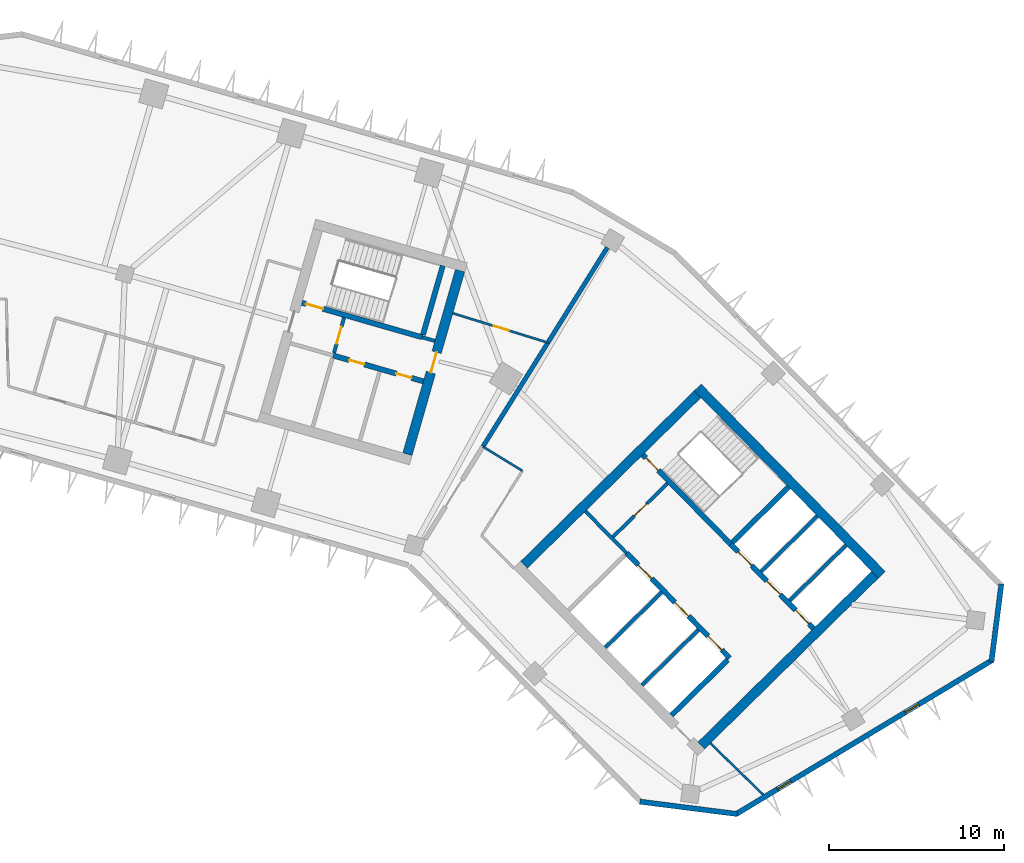
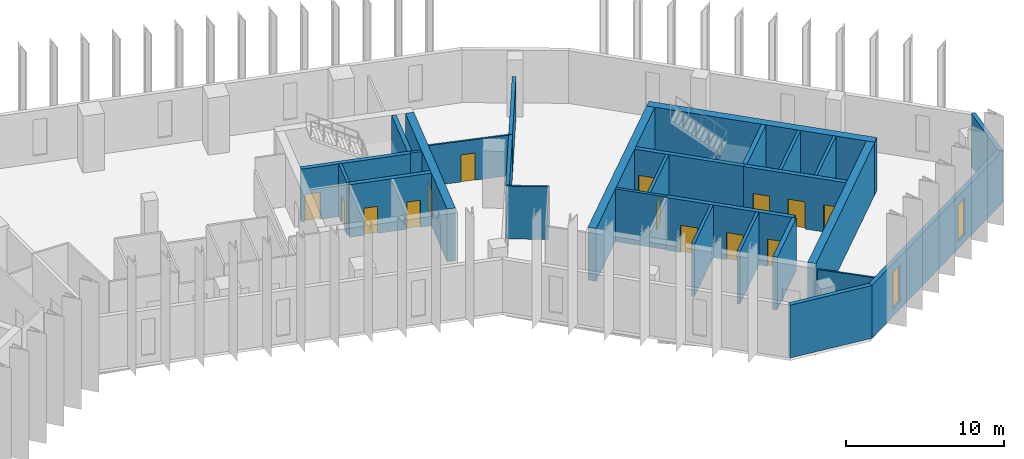
# One storey, part 6 of 11: 28 walls, 14 doors, 2 windows, 16 openings.
"""IFC4 building model written with IfcOpenShell, lengths in metres."""

import ifcopenshell
import ifcopenshell.guid

model = None  # the IFC model being written
_history = None  # IfcOwnerHistory: only IFC2X3 demands one
_inside = {}  # id of a spatial element -> (the spatial element, [elements in it])
_under = {}  # id of a project, library or spatial element -> (it, [spatial elements below it])
_declared = {}  # id of a project -> (the project, [libraries it declares])
_typed = {}  # id of a type object -> (the type object, [elements of that type])
_made_of = {}  # id of a material, layer set ... -> (it, [elements and type objects made of it])


def new_model(schema):
    """Start an empty IFC model of exactly this schema.

    Asked for "IFC4X3", IfcOpenShell would pick the latest addendum, in which some entities
    have other attributes; the version numbers below select the first issue.
    IFC2X3 requires an IfcOwnerHistory on every rooted entity: one is made here for all.
    """
    global model, _history
    if schema == "IFC4X3":
        model = ifcopenshell.file(schema_version=(4, 3, 0, 0))
    else:
        model = ifcopenshell.file(schema=schema)
    _inside.clear()
    _under.clear()
    _declared.clear()
    _typed.clear()
    _made_of.clear()
    _history = None
    if model.schema == "IFC2X3":
        org = make("IfcOrganization", Name="unknown")
        user = make(
            "IfcPersonAndOrganization",
            ThePerson=make("IfcPerson", FamilyName="unknown"),
            TheOrganization=org,
        )
        app = make(
            "IfcApplication",
            ApplicationDeveloper=org,
            Version="unknown",
            ApplicationFullName="unknown",
            ApplicationIdentifier="unknown",
        )
        _history = make(
            "IfcOwnerHistory",
            OwningUser=user,
            OwningApplication=app,
            ChangeAction="ADDED",
            CreationDate=0,
        )
    return model


def make(cls, **values):
    """One entity of the class cls with the attributes given. An attribute that is None is left unset."""
    return model.create_entity(
        cls, **{name: value for name, value in values.items() if value is not None}
    )


def rooted(cls, **values):
    """An entity with a GlobalId (a new one), such as an element, a storey or a relation."""
    return make(cls, GlobalId=ifcopenshell.guid.new(), OwnerHistory=_history, **values)


def si_unit(unit_type, name, prefix=None):
    """IfcSIUnit, for example si_unit("LENGTHUNIT", "METRE", prefix="MILLI")."""
    return make("IfcSIUnit", UnitType=unit_type, Prefix=prefix, Name=name)


def assignment(units):
    """IfcUnitAssignment: the units of a project."""
    return None if units is None else make("IfcUnitAssignment", Units=units)


def point(xyz):
    """IfcCartesianPoint."""
    return None if xyz is None else make("IfcCartesianPoint", Coordinates=xyz)


def direction(xyz):
    """IfcDirection."""
    return None if xyz is None else make("IfcDirection", DirectionRatios=xyz)


def frame(location, z_axis=None, x_axis=None):
    """IfcAxis2Placement3D, a coordinate frame: its origin and axes. An axis left out is left unset."""
    return make(
        "IfcAxis2Placement3D",
        Location=point(location),
        Axis=direction(z_axis),
        RefDirection=direction(x_axis),
    )


def frame_2d(location, x_axis=None):
    """IfcAxis2Placement2D, a coordinate frame in the plane: its origin and x axis."""
    return make(
        "IfcAxis2Placement2D", Location=point(location), RefDirection=direction(x_axis)
    )


def origin():
    """The frame at (0, 0, 0) with its axes left unset."""
    return frame((0.0, 0.0, 0.0))


def place(relative_to, where):
    """IfcLocalPlacement: puts the frame where relative to a parent placement (None: the world)."""
    return make(
        "IfcLocalPlacement", PlacementRelTo=relative_to, RelativePlacement=where
    )


def context(
    kind, dimensions, precision=None, world=None, true_north=None, identifier=None
):
    """IfcGeometricRepresentationContext, for example the 3D "Model" context."""
    return make(
        "IfcGeometricRepresentationContext",
        ContextIdentifier=identifier,
        ContextType=kind,
        CoordinateSpaceDimension=dimensions,
        Precision=precision,
        WorldCoordinateSystem=world,
        TrueNorth=true_north,
    )


def subcontext(parent, identifier, kind, view, scale=None):
    """IfcGeometricRepresentationSubContext, for example "Body" below "Model"."""
    return make(
        "IfcGeometricRepresentationSubContext",
        ContextIdentifier=identifier,
        ContextType=kind,
        ParentContext=parent,
        TargetScale=scale,
        TargetView=view,
    )


def project(units=None, contexts=None):
    """IfcProject with its units and contexts."""
    return rooted(
        "IfcProject",
        Name="project",
        RepresentationContexts=contexts,
        UnitsInContext=assignment(units),
    )


def spatial(cls, under=None, at=None, **own):
    """A site, building, storey or space (cls), placed at a placement, below another one or the project."""
    s = rooted(cls, ObjectPlacement=at, **own)
    if under is not None:
        _under.setdefault(under.id(), (under, []))[1].append(s)
    return s


def profile(cls, at=None, kind="AREA", **sizes):
    """A parametric profile (cls). Its sizes go by their IFC names, for example OverallWidth=200.0."""
    return make(cls, ProfileType=kind, Position=at, **sizes)


def rectangle(**sizes):
    """IfcRectangleProfileDef."""
    return profile("IfcRectangleProfileDef", **sizes)


def extrude(swept, where, along, depth):
    """IfcExtrudedAreaSolid: the profile swept, set in the frame where, extruded along a direction by depth."""
    return make(
        "IfcExtrudedAreaSolid",
        SweptArea=swept,
        Position=where,
        ExtrudedDirection=direction(along),
        Depth=depth,
    )


def shape(context_of_items, identifier, shape_type, items):
    """IfcShapeRepresentation: the items that make up one representation, for example the "Body"."""
    return make(
        "IfcShapeRepresentation",
        ContextOfItems=context_of_items,
        RepresentationIdentifier=identifier,
        RepresentationType=shape_type,
        Items=items,
    )


def material(Name=None, Category=None):
    """IfcMaterial."""
    return make("IfcMaterial", Name=Name, Category=Category)


def layer(
    of_material, thickness, ventilated=None, Name=None, Category=None, Priority=None
):
    """IfcMaterialLayer: one layer of a wall or slab, of a material (None: an air gap)."""
    return make(
        "IfcMaterialLayer",
        Material=of_material,
        LayerThickness=thickness,
        IsVentilated=ventilated,
        Name=Name,
        Category=Category,
        Priority=Priority,
    )


def layer_set(layers, Name=None):
    """IfcMaterialLayerSet."""
    return make("IfcMaterialLayerSet", MaterialLayers=layers, LayerSetName=Name)


def made_of(thing, what):
    """Note that an element or type object is made of a material, layer set ...; save() writes the relation."""
    if what is not None:
        _made_of.setdefault(what.id(), (what, []))[1].append(thing)
    return thing


def type_object(cls, material=None, **own):
    """A type object (cls), such as IfcWallType, which elements share."""
    return made_of(rooted(cls, **own), material)


def element(
    cls,
    number,
    at=None,
    inside=None,
    cuts=None,
    type_object=None,
    material=None,
    context=None,
    identifier="Body",
    shape_type=None,
    held_by="IfcProductDefinitionShape",
    body=None,
    shapes=None,
    **own,
):
    """One element of the class cls, such as IfcWall. Its Tag is "e" and its number.

    at: its placement. inside: the storey or other place that contains it. cuts: it is an
    opening in that element (IfcRelVoidsElement). A single representation is given by context,
    identifier, shape_type and body (its items); several are given by shapes. held_by: the class
    of the entity that holds the representations. save() writes the other relations.
    """
    e = rooted(cls, Tag="e%d" % number, ObjectPlacement=at, **own)
    if body is not None:
        shapes = [shape(context, identifier, shape_type, body)]
    if shapes is not None:
        e.Representation = make(held_by, Representations=shapes)
    if inside is not None:
        _inside.setdefault(inside.id(), (inside, []))[1].append(e)
    if cuts is not None:
        rooted(
            "IfcRelVoidsElement", RelatingBuildingElement=cuts, RelatedOpeningElement=e
        )
    if type_object is not None:
        _typed.setdefault(type_object.id(), (type_object, []))[1].append(e)
    return made_of(e, material)


def fill(opening, filler):
    """IfcRelFillsElement: the door or window that sits in an opening."""
    return rooted(
        "IfcRelFillsElement",
        RelatingOpeningElement=opening,
        RelatedBuildingElement=filler,
    )


def aggregate(whole, parts):
    """IfcRelAggregates: a whole, such as a stair, and the parts it consists of."""
    return rooted("IfcRelAggregates", RelatingObject=whole, RelatedObjects=parts)


def save(model, path):
    """Write the relations noted so far, then the file.

    IfcRelAggregates (storeys below a building ...), IfcRelContainedInSpatialStructure (elements
    in a storey), IfcRelDefinesByType, IfcRelAssociatesMaterial and IfcRelDeclares: one each for
    every whole, place, type object, material and project.
    """
    for whole, parts in _under.values():
        aggregate(whole, parts)
    for where, things in _inside.values():
        rooted(
            "IfcRelContainedInSpatialStructure",
            RelatedElements=things,
            RelatingStructure=where,
        )
    for kind, things in _typed.values():
        rooted("IfcRelDefinesByType", RelatedObjects=things, RelatingType=kind)
    for what, things in _made_of.values():
        rooted("IfcRelAssociatesMaterial", RelatedObjects=things, RelatingMaterial=what)
    for by, libraries in _declared.values():
        rooted("IfcRelDeclares", RelatingContext=by, RelatedDefinitions=libraries)
    model.write(path)


model = new_model("IFC4")

# Units and contexts
model_context = context("Model", 3, precision=1e-05, world=origin(), true_north=direction((0.0, 1.0)))
body_context = subcontext(model_context, "Body", "Model", "MODEL_VIEW")
ifc_project = project(units=[si_unit("LENGTHUNIT", "METRE"), si_unit("AREAUNIT", "SQUARE_METRE"), si_unit("VOLUMEUNIT", "CUBIC_METRE"), si_unit("PLANEANGLEUNIT", "RADIAN"), si_unit("MASSUNIT", "GRAM", prefix="KILO")], contexts=[model_context])

# Site, building, storey
site_placement = place(None, origin())
site = spatial("IfcSite", under=ifc_project, at=site_placement, CompositionType="ELEMENT")
building_placement = place(site_placement, origin())
building = spatial("IfcBuilding", under=site, at=building_placement, Name="Binnacle Exchange Tower", CompositionType="ELEMENT")
storey_placement = place(building_placement, frame((0.0, 0.0, 132.300048828125)))
storey = spatial("IfcBuildingStorey", under=building, at=storey_placement, Name="L27", CompositionType="ELEMENT", Elevation=132.300048828125)

# Wall, openings, doors
ifc_material_1 = material(Name="Concrete C70/85", Category="concrete")
ifc_layer_1 = layer(ifc_material_1, 0.300048828125)
ifc_layer_set_1 = layer_set([ifc_layer_1], Name="Core wall - front 300")
wall_type_1 = type_object("IfcWallType", Name="Core wall - front 300", PredefinedType="SOLIDWALL", material=ifc_layer_set_1)
wall_1_placement = place(storey_placement, frame((37.8740234375, 41.41552734375, 0.0), z_axis=(0.0, 0.0, 1.0), x_axis=(0.700918271237, -0.71324159795, 0.0)))
wall_1 = element("IfcWall", 1, at=wall_1_placement, inside=storey, type_object=wall_type_1, Name="Core wall CRWB3", PredefinedType="SOLIDWALL", context=body_context, shape_type="SweptSolid", body=[
    extrude(rectangle(XDim=8.39990234375, YDim=0.300048828125, at=frame_2d((4.199951171875, 0.0))), origin(), (0.0, 0.0, 1.0), 4.079833984375),
])
opening_1_placement = place(wall_1_placement, frame((0.949951171875, 0.0, 0.0)))
opening_1 = element("IfcOpeningElement", 2, at=opening_1_placement, cuts=wall_1, Name="Opening LD15", PredefinedType="OPENING", context=body_context, shape_type="SweptSolid", body=[
    extrude(rectangle(XDim=1.10009765625, YDim=2.10009765625, at=frame_2d((0.550048828125, 1.050048828125))), frame((0.0, 0.159912109375, 0.0), z_axis=(0.0, -1.0, 0.0), x_axis=(1.0, 0.0, 0.0)), (0.0, 0.0, 1.0), 0.320068359375),
])
opening_2_placement = place(wall_1_placement, frame((3.949951171875, 0.0, 0.0)))
opening_2 = element("IfcOpeningElement", 3, at=opening_2_placement, cuts=wall_1, Name="Opening LD16", PredefinedType="OPENING", context=body_context, shape_type="SweptSolid", body=[
    extrude(rectangle(XDim=1.10009765625, YDim=2.10009765625, at=frame_2d((0.550048828125, 1.050048828125))), frame((0.0, 0.159912109375, 0.0), z_axis=(0.0, -1.0, 0.0), x_axis=(1.0, 0.0, 0.0)), (0.0, 0.0, 1.0), 0.320068359375),
])
opening_3_placement = place(wall_1_placement, frame((6.64990234375, 0.0, 0.0)))
opening_3 = element("IfcOpeningElement", 4, at=opening_3_placement, cuts=wall_1, Name="Opening LD4", PredefinedType="OPENING", context=body_context, shape_type="SweptSolid", body=[
    extrude(rectangle(XDim=1.10009765625, YDim=2.10009765625, at=frame_2d((0.550048828125, 1.050048828125))), frame((0.0, 0.159912109375, 0.0), z_axis=(0.0, -1.0, 0.0), x_axis=(1.0, 0.0, 0.0)), (0.0, 0.0, 1.0), 0.320068359375),
])
ifc_material_2 = material(Name="Steel door leaf", Category="steel")
door_type_1 = type_object("IfcDoorType", Name="Fire door - lift landing 1100", OperationType="NOTDEFINED", PredefinedType="DOOR", material=ifc_material_2)
door_1_placement = place(opening_1_placement, origin())
door_1 = element("IfcDoor", 5, at=door_1_placement, inside=storey, type_object=door_type_1, Name="Landing door LD15 L27", OperationType="DOUBLE_DOOR_SLIDING", OverallHeight=2.10009765625, OverallWidth=1.10009765625, PredefinedType="DOOR", context=body_context, shape_type="SweptSolid", body=[
    extrude(rectangle(XDim=1.10009765625, YDim=2.10009765625, at=frame_2d((0.550048828125, 1.050048828125))), frame((0.0, 0.02490234375, 0.0), z_axis=(0.0, -1.0, 0.0), x_axis=(1.0, 0.0, 0.0)), (0.0, 0.0, 1.0), 0.050048828125),
])
fill(opening_1, door_1)
door_2_placement = place(opening_2_placement, origin())
door_2 = element("IfcDoor", 6, at=door_2_placement, inside=storey, type_object=door_type_1, Name="Landing door LD16 L27", OperationType="DOUBLE_DOOR_SLIDING", OverallHeight=2.10009765625, OverallWidth=1.10009765625, PredefinedType="DOOR", context=body_context, shape_type="SweptSolid", body=[
    extrude(rectangle(XDim=1.10009765625, YDim=2.10009765625, at=frame_2d((0.550048828125, 1.050048828125))), frame((0.0, 0.02490234375, 0.0), z_axis=(0.0, -1.0, 0.0), x_axis=(1.0, 0.0, 0.0)), (0.0, 0.0, 1.0), 0.050048828125),
])
fill(opening_2, door_2)
door_3_placement = place(opening_3_placement, origin())
door_3 = element("IfcDoor", 7, at=door_3_placement, inside=storey, type_object=door_type_1, Name="Landing door LD4 L27", OperationType="DOUBLE_DOOR_SLIDING", OverallHeight=2.10009765625, OverallWidth=1.10009765625, PredefinedType="DOOR", context=body_context, shape_type="SweptSolid", body=[
    extrude(rectangle(XDim=1.10009765625, YDim=2.10009765625, at=frame_2d((0.550048828125, 1.050048828125))), frame((0.0, 0.02490234375, 0.0), z_axis=(0.0, -1.0, 0.0), x_axis=(1.0, 0.0, 0.0)), (0.0, 0.0, 1.0), 0.050048828125),
])
fill(opening_3, door_3)

wall_2_placement = place(storey_placement, frame((43.818603515625, 41.92919921875, 0.0), z_axis=(0.0, 0.0, 1.0), x_axis=(0.700931209592, -0.713228882912, 0.0)))
wall_2 = element("IfcWall", 8, at=wall_2_placement, inside=storey, type_object=wall_type_1, Name="Core wall CRWB5", PredefinedType="SOLIDWALL", context=body_context, shape_type="SweptSolid", body=[
    extrude(rectangle(XDim=6.75, YDim=0.300048828125, at=frame_2d((3.375, 0.0))), origin(), (0.0, 0.0, 1.0), 4.079833984375),
])
opening_4_placement = place(wall_2_placement, frame((0.614990234375, 0.0, 0.0)))
opening_4 = element("IfcOpeningElement", 9, at=opening_4_placement, cuts=wall_2, Name="Opening LD1", PredefinedType="OPENING", context=body_context, shape_type="SweptSolid", body=[
    extrude(rectangle(XDim=1.10009765625, YDim=2.10009765625, at=frame_2d((0.550048828125, 1.050048828125))), frame((0.0, 0.159912109375, 0.0), z_axis=(0.0, -1.0, 0.0), x_axis=(1.0, 0.0, 0.0)), (0.0, 0.0, 1.0), 0.320068359375),
])
opening_5_placement = place(wall_2_placement, frame((2.945068359375, 0.0, 0.0)))
opening_5 = element("IfcOpeningElement", 10, at=opening_5_placement, cuts=wall_2, Name="Opening LD2", PredefinedType="OPENING", context=body_context, shape_type="SweptSolid", body=[
    extrude(rectangle(XDim=1.10009765625, YDim=2.10009765625, at=frame_2d((0.550048828125, 1.050048828125))), frame((0.0, 0.159912109375, 0.0), z_axis=(0.0, -1.0, 0.0), x_axis=(1.0, 0.0, 0.0)), (0.0, 0.0, 1.0), 0.320068359375),
])
opening_6_placement = place(wall_2_placement, frame((5.280029296875, 0.0, 0.0)))
opening_6 = element("IfcOpeningElement", 11, at=opening_6_placement, cuts=wall_2, Name="Opening LD3", PredefinedType="OPENING", context=body_context, shape_type="SweptSolid", body=[
    extrude(rectangle(XDim=1.10009765625, YDim=2.10009765625, at=frame_2d((0.550048828125, 1.050048828125))), frame((0.0, 0.159912109375, 0.0), z_axis=(0.0, -1.0, 0.0), x_axis=(1.0, 0.0, 0.0)), (0.0, 0.0, 1.0), 0.320068359375),
])
door_4_placement = place(opening_4_placement, origin())
door_4 = element("IfcDoor", 12, at=door_4_placement, inside=storey, type_object=door_type_1, Name="Landing door LD1 L27", OperationType="DOUBLE_DOOR_SLIDING", OverallHeight=2.10009765625, OverallWidth=1.10009765625, PredefinedType="DOOR", context=body_context, shape_type="SweptSolid", body=[
    extrude(rectangle(XDim=1.10009765625, YDim=2.10009765625, at=frame_2d((0.550048828125, 1.050048828125))), frame((0.0, 0.02490234375, 0.0), z_axis=(0.0, -1.0, 0.0), x_axis=(1.0, 0.0, 0.0)), (0.0, 0.0, 1.0), 0.050048828125),
])
fill(opening_4, door_4)
door_5_placement = place(opening_5_placement, origin())
door_5 = element("IfcDoor", 13, at=door_5_placement, inside=storey, type_object=door_type_1, Name="Landing door LD2 L27", OperationType="DOUBLE_DOOR_SLIDING", OverallHeight=2.10009765625, OverallWidth=1.10009765625, PredefinedType="DOOR", context=body_context, shape_type="SweptSolid", body=[
    extrude(rectangle(XDim=1.10009765625, YDim=2.10009765625, at=frame_2d((0.550048828125, 1.050048828125))), frame((0.0, 0.02490234375, 0.0), z_axis=(0.0, -1.0, 0.0), x_axis=(1.0, 0.0, 0.0)), (0.0, 0.0, 1.0), 0.050048828125),
])
fill(opening_5, door_5)
door_6_placement = place(opening_6_placement, origin())
door_6 = element("IfcDoor", 14, at=door_6_placement, inside=storey, type_object=door_type_1, Name="Landing door LD3 L27", OperationType="DOUBLE_DOOR_SLIDING", OverallHeight=2.10009765625, OverallWidth=1.10009765625, PredefinedType="DOOR", context=body_context, shape_type="SweptSolid", body=[
    extrude(rectangle(XDim=1.10009765625, YDim=2.10009765625, at=frame_2d((0.550048828125, 1.050048828125))), frame((0.0, 0.02490234375, 0.0), z_axis=(0.0, -1.0, 0.0), x_axis=(1.0, 0.0, 0.0)), (0.0, 0.0, 1.0), 0.050048828125),
])
fill(opening_6, door_6)

# Wall
wall_3_placement = place(storey_placement, frame((40.445068359375, 32.1650390625, 0.0), z_axis=(0.0, 0.0, 1.0), x_axis=(0.713264577552, 0.700894886848, 0.0)))
element("IfcWall", 15, at=wall_3_placement, inside=storey, type_object=wall_type_1, Name="Core wall CRWB14", PredefinedType="SOLIDWALL", context=body_context, shape_type="SweptSolid", body=[
    extrude(rectangle(XDim=4.5, YDim=0.300048828125, at=frame_2d((2.25, 0.0))), origin(), (0.0, 0.0, 1.0), 4.079833984375),
])

# Wall, openings, doors
wall_4_placement = place(storey_placement, frame((21.130859375, 52.6923828125, 0.0), z_axis=(0.0, 0.0, 1.0), x_axis=(0.961265220997, -0.27562506218, 0.0)))
wall_4 = element("IfcWall", 16, at=wall_4_placement, inside=storey, type_object=wall_type_1, Name="Core wall CRWD3", PredefinedType="SOLIDWALL", context=body_context, shape_type="SweptSolid", body=[
    extrude(rectangle(XDim=5.35009765625, YDim=0.300048828125, at=frame_2d((2.675048828125, 0.0))), origin(), (0.0, 0.0, 1.0), 4.079833984375),
])
opening_7_placement = place(wall_4_placement, frame((0.949951171875, 0.0, 0.0)))
opening_7 = element("IfcOpeningElement", 17, at=opening_7_placement, cuts=wall_4, Name="Opening DD10", PredefinedType="OPENING", context=body_context, shape_type="SweptSolid", body=[
    extrude(rectangle(XDim=0.89990234375, YDim=2.10009765625, at=frame_2d((0.449951171875, 1.050048828125))), frame((0.0, 0.159912109375, 0.0), z_axis=(0.0, -1.0, 0.0), x_axis=(1.0, 0.0, 0.0)), (0.0, 0.0, 1.0), 0.320068359375),
])
opening_8_placement = place(wall_4_placement, frame((3.75, 0.0, 0.0)))
opening_8 = element("IfcOpeningElement", 18, at=opening_8_placement, cuts=wall_4, Name="Opening DD11", PredefinedType="OPENING", context=body_context, shape_type="SweptSolid", body=[
    extrude(rectangle(XDim=0.89990234375, YDim=2.10009765625, at=frame_2d((0.449951171875, 1.050048828125))), frame((0.0, 0.159912109375, 0.0), z_axis=(0.0, -1.0, 0.0), x_axis=(1.0, 0.0, 0.0)), (0.0, 0.0, 1.0), 0.320068359375),
])
door_type_2 = type_object("IfcDoorType", Name="Fire door 900", OperationType="NOTDEFINED", PredefinedType="DOOR", material=ifc_material_2)
door_7_placement = place(opening_7_placement, frame((0.89990234375, 0.0, 0.0), z_axis=(0.0, 0.0, 1.0), x_axis=(-1.0, 0.0, 0.0)))
door_7 = element("IfcDoor", 19, at=door_7_placement, inside=storey, type_object=door_type_2, Name="Core room door FIBRE ENTRY ROOM", OperationType="SINGLE_SWING_RIGHT", OverallHeight=2.10009765625, OverallWidth=0.89990234375, PredefinedType="DOOR", context=body_context, shape_type="SweptSolid", body=[
    extrude(rectangle(XDim=0.89990234375, YDim=2.10009765625, at=frame_2d((0.449951171875, 1.050048828125))), frame((0.0, 0.02490234375, 0.0), z_axis=(0.0, -1.0, 0.0), x_axis=(1.0, 0.0, 0.0)), (0.0, 0.0, 1.0), 0.050048828125),
])
fill(opening_7, door_7)
door_8_placement = place(opening_8_placement, frame((0.89990234375, 0.0, 0.0), z_axis=(0.0, 0.0, 1.0), x_axis=(-1.0, 0.0, 0.0)))
door_8 = element("IfcDoor", 20, at=door_8_placement, inside=storey, type_object=door_type_2, Name="Core room door ELECTRICAL ROOM", OperationType="SINGLE_SWING_LEFT", OverallHeight=2.10009765625, OverallWidth=0.89990234375, PredefinedType="DOOR", context=body_context, shape_type="SweptSolid", body=[
    extrude(rectangle(XDim=0.89990234375, YDim=2.10009765625, at=frame_2d((0.449951171875, 1.050048828125))), frame((0.0, 0.02490234375, 0.0), z_axis=(0.0, -1.0, 0.0), x_axis=(1.0, 0.0, 0.0)), (0.0, 0.0, 1.0), 0.050048828125),
])
fill(opening_8, door_8)

# Walls
ifc_layer_2 = layer(ifc_material_1, 0.550048828125)
ifc_layer_set_2 = layer_set([ifc_layer_2], Name="Core wall - outer 550")
wall_type_2 = type_object("IfcWallType", Name="Core wall - outer 550", PredefinedType="SOLIDWALL", material=ifc_layer_set_2)
wall_5_placement = place(storey_placement, frame((41.934326171875, 50.873291015625, 0.0), z_axis=(0.0, 0.0, 1.0), x_axis=(0.700911255944, -0.713248491965, 0.0)))
element("IfcWall", 21, at=wall_5_placement, inside=storey, type_object=wall_type_2, Name="Core wall CRWB6", PredefinedType="SOLIDWALL", context=body_context, shape_type="SweptSolid", body=[
    extrude(rectangle(XDim=15.0, YDim=0.550048828125, at=frame_2d((7.5, 0.0))), origin(), (0.0, 0.0, 1.0), 4.079833984375),
])
for number, where, z_axis, x_axis, name in (
    (22, (32.0166015625, 40.74169921875, 0.0), (0.0, 0.0, 1.0), (0.713253550094, 0.700906108746, 0.0), "Core wall CRWB7"),
    (23, (42.144775390625, 30.435302734375, 0.0), (0.0, 0.0, 1.0), (0.713253550094, 0.700906108746, 0.0), "Core wall CRWB16"),
):
    element("IfcWall", number, at=place(storey_placement, frame(where, z_axis=z_axis, x_axis=x_axis)), inside=storey, type_object=wall_type_2, Name=name, PredefinedType="SOLIDWALL", context=body_context, shape_type="SweptSolid", body=[
        extrude(rectangle(XDim=13.900146484375, YDim=0.550048828125, at=frame_2d((6.9501953125, 0.0))), origin(), (0.0, 0.0, 1.0), 4.079833984375),
    ])

# Wall, opening, door
wall_6_placement = place(storey_placement, frame((25.366455078125, 47.056640625, 0.0), z_axis=(0.0, 0.0, 1.0), x_axis=(0.275632146085, 0.96126318979, 0.0)))
wall_6 = element("IfcWall", 24, at=wall_6_placement, inside=storey, type_object=wall_type_2, Name="Core wall CRWD12", PredefinedType="SOLIDWALL", context=body_context, shape_type="SweptSolid", body=[
    extrude(rectangle(XDim=10.89990234375, YDim=0.550048828125, at=frame_2d((5.449951171875, 0.0))), origin(), (0.0, 0.0, 1.0), 4.079833984375),
])
opening_9_placement = place(wall_6_placement, frame((4.849853515625, 0.0, 0.0)))
opening_9 = element("IfcOpeningElement", 25, at=opening_9_placement, cuts=wall_6, Name="Opening DD6", PredefinedType="OPENING", context=body_context, shape_type="SweptSolid", body=[
    extrude(rectangle(XDim=1.199951171875, YDim=2.10009765625, at=frame_2d((0.60009765625, 1.050048828125))), frame((0.0, 0.284912109375, 0.0), z_axis=(0.0, -1.0, 0.0), x_axis=(1.0, 0.0, 0.0)), (0.0, 0.0, 1.0), 0.570068359375),
])
door_type_3 = type_object("IfcDoorType", Name="Fire door 1200", OperationType="NOTDEFINED", PredefinedType="DOOR", material=ifc_material_2)
door_9_placement = place(opening_9_placement, frame((1.199951171875, 0.0, 0.0), z_axis=(0.0, 0.0, 1.0), x_axis=(-1.0, 0.0, 0.0)))
door_9 = element("IfcDoor", 26, at=door_9_placement, inside=storey, type_object=door_type_3, Name="Core passage exit door", OperationType="SINGLE_SWING_RIGHT", OverallHeight=2.10009765625, OverallWidth=1.199951171875, PredefinedType="DOOR", context=body_context, shape_type="SweptSolid", body=[
    extrude(rectangle(XDim=1.199951171875, YDim=2.10009765625, at=frame_2d((0.60009765625, 1.050048828125))), frame((0.0, 0.02490234375, 0.0), z_axis=(0.0, -1.0, 0.0), x_axis=(1.0, 0.0, 0.0)), (0.0, 0.0, 1.0), 0.050048828125),
])
fill(opening_9, door_9)

ifc_layer_3 = layer(ifc_material_1, 0.300048828125)
ifc_layer_set_3 = layer_set([ifc_layer_3], Name="Core wall - stair 300")
wall_type_3 = type_object("IfcWallType", Name="Core wall - stair 300", PredefinedType="SOLIDWALL", material=ifc_layer_set_3)
wall_7_placement = place(storey_placement, frame((38.806884765625, 47.029052734375, 0.0), z_axis=(0.0, 0.0, 1.0), x_axis=(0.700916852778, -0.713242991898, 0.0)))
wall_7 = element("IfcWall", 27, at=wall_7_placement, inside=storey, type_object=wall_type_3, Name="Core wall CRWB4", PredefinedType="SOLIDWALL", context=body_context, shape_type="SweptSolid", body=[
    extrude(rectangle(XDim=7.150146484375, YDim=0.300048828125, at=frame_2d((3.5751953125, 0.0))), origin(), (0.0, 0.0, 1.0), 4.079833984375),
])
opening_10_placement = place(wall_7_placement, frame((0.25, 0.0, 0.0)))
opening_10 = element("IfcOpeningElement", 28, at=opening_10_placement, cuts=wall_7, Name="Opening DB1", PredefinedType="OPENING", context=body_context, shape_type="SweptSolid", body=[
    extrude(rectangle(XDim=1.0, YDim=2.10009765625, at=frame_2d((0.5, 1.050048828125))), frame((0.0, 0.159912109375, 0.0), z_axis=(0.0, -1.0, 0.0), x_axis=(1.0, 0.0, 0.0)), (0.0, 0.0, 1.0), 0.320068359375),
])
door_type_4 = type_object("IfcDoorType", Name="Fire door 1000", OperationType="NOTDEFINED", PredefinedType="DOOR", material=ifc_material_2)
door_10_placement = place(opening_10_placement, origin())
door_10 = element("IfcDoor", 29, at=door_10_placement, inside=storey, type_object=door_type_4, Name="Stair door ST-B1", OperationType="SINGLE_SWING_LEFT", OverallHeight=2.10009765625, OverallWidth=1.0, PredefinedType="DOOR", context=body_context, shape_type="SweptSolid", body=[
    extrude(rectangle(XDim=1.0, YDim=2.10009765625, at=frame_2d((0.5, 1.050048828125))), frame((0.0, 0.02490234375, 0.0), z_axis=(0.0, -1.0, 0.0), x_axis=(1.0, 0.0, 0.0)), (0.0, 0.0, 1.0), 0.050048828125),
])
fill(opening_10, door_10)

# Wall
wall_8_placement = place(storey_placement, frame((43.925537109375, 42.034423828125, 0.0), z_axis=(0.0, 0.0, 1.0), x_axis=(0.713210801054, 0.700949608217, 0.0)))
element("IfcWall", 30, at=wall_8_placement, inside=storey, type_object=wall_type_3, Name="Core wall CRWB11", PredefinedType="SOLIDWALL", context=body_context, shape_type="SweptSolid", body=[
    extrude(rectangle(XDim=4.5, YDim=0.300048828125, at=frame_2d((2.25, 0.0))), origin(), (0.0, 0.0, 1.0), 4.079833984375),
])

# Wall, opening, door
wall_9_placement = place(storey_placement, frame((19.34130859375, 55.702392578125, 0.0), z_axis=(0.0, 0.0, 1.0), x_axis=(0.961263228157, -0.27563201228, 0.0)))
wall_9 = element("IfcWall", 31, at=wall_9_placement, inside=storey, type_object=wall_type_3, Name="Core wall CRWD4", PredefinedType="SOLIDWALL", context=body_context, shape_type="SweptSolid", body=[
    extrude(rectangle(XDim=7.149658203125, YDim=0.300048828125, at=frame_2d((3.57470703125, 0.0))), origin(), (0.0, 0.0, 1.0), 4.079833984375),
])
opening_11_placement = place(wall_9_placement, frame((0.25, 0.0, 0.0)))
opening_11 = element("IfcOpeningElement", 32, at=opening_11_placement, cuts=wall_9, Name="Opening DD1", PredefinedType="OPENING", context=body_context, shape_type="SweptSolid", body=[
    extrude(rectangle(XDim=1.0, YDim=2.10009765625, at=frame_2d((0.5, 1.050048828125))), frame((0.0, 0.159912109375, 0.0), z_axis=(0.0, -1.0, 0.0), x_axis=(1.0, 0.0, 0.0)), (0.0, 0.0, 1.0), 0.320068359375),
])
door_11_placement = place(opening_11_placement, origin())
door_11 = element("IfcDoor", 33, at=door_11_placement, inside=storey, type_object=door_type_4, Name="Stair door ST-D1", OperationType="SINGLE_SWING_LEFT", OverallHeight=2.10009765625, OverallWidth=1.0, PredefinedType="DOOR", context=body_context, shape_type="SweptSolid", body=[
    extrude(rectangle(XDim=1.0, YDim=2.10009765625, at=frame_2d((0.5, 1.050048828125))), frame((0.0, 0.02490234375, 0.0), z_axis=(0.0, -1.0, 0.0), x_axis=(1.0, 0.0, 0.0)), (0.0, 0.0, 1.0), 0.050048828125),
])
fill(opening_11, door_11)

# Walls
wall_10_placement = place(storey_placement, frame((26.255615234375, 53.875732421875, 0.0), z_axis=(0.0, 0.0, 1.0), x_axis=(0.275641165445, 0.961260603537, 0.0)))
element("IfcWall", 34, at=wall_10_placement, inside=storey, type_object=wall_type_3, Name="Core wall CRWD11", PredefinedType="SOLIDWALL", context=body_context, shape_type="SweptSolid", body=[
    extrude(rectangle(XDim=4.10009765625, YDim=0.300048828125, at=frame_2d((2.050048828125, 0.0))), origin(), (0.0, 0.0, 1.0), 4.079833984375),
])
ifc_material_3 = material(Name="Bronze aluminium cladding", Category="aluminium")
ifc_layer_4 = layer(ifc_material_3, 0.300048828125)
ifc_layer_set_4 = layer_set([ifc_layer_4], Name="External wall - spandrel 300")
wall_type_4 = type_object("IfcWallType", Name="External wall - spandrel 300", PredefinedType="STANDARD", material=ifc_layer_set_4)
wall_11_placement = place(storey_placement, frame((44.19580078125, 26.517822265625, 0.0), z_axis=(0.0, 0.0, 1.0), x_axis=(-0.992001881269, 0.126223086474, 0.0)))
element("IfcWall", 35, at=wall_11_placement, inside=storey, type_object=wall_type_4, Name="External wall EW-F10 L27", PredefinedType="STANDARD", context=body_context, shape_type="SweptSolid", body=[
    extrude(rectangle(XDim=5.6015625, YDim=0.300048828125, at=frame_2d((2.80078125, 0.0))), origin(), (0.0, 0.0, 1.0), 4.079833984375),
])

# Wall, openings, windows
wall_12_placement = place(storey_placement, frame((58.7783203125, 35.317626953125, 0.0), z_axis=(0.0, 0.0, 1.0), x_axis=(-0.857168206138, -0.515036568009, 0.0)))
wall_12 = element("IfcWall", 36, at=wall_12_placement, inside=storey, type_object=wall_type_4, Name="External wall EW-F11 L27", PredefinedType="STANDARD", context=body_context, shape_type="SweptSolid", body=[
    extrude(rectangle(XDim=17.124755859375, YDim=0.300048828125, at=frame_2d((8.5625, 0.0))), origin(), (0.0, 0.0, 1.0), 4.079833984375),
])
opening_12_placement = place(wall_12_placement, frame((13.435302734375, 0.0, 0.60009765625)))
opening_12 = element("IfcOpeningElement", 37, at=opening_12_placement, cuts=wall_12, Name="Opening WS2", PredefinedType="OPENING", context=body_context, shape_type="SweptSolid", body=[
    extrude(rectangle(XDim=0.89990234375, YDim=2.800048828125, at=frame_2d((0.449951171875, 1.39990234375))), frame((0.0, 0.159912109375, 0.0), z_axis=(0.0, -1.0, 0.0), x_axis=(1.0, 0.0, 0.0)), (0.0, 0.0, 1.0), 0.320068359375),
])
opening_13_placement = place(wall_12_placement, frame((4.935302734375, 0.0, 0.60009765625)))
opening_13 = element("IfcOpeningElement", 38, at=opening_13_placement, cuts=wall_12, Name="Opening WS2", PredefinedType="OPENING", context=body_context, shape_type="SweptSolid", body=[
    extrude(rectangle(XDim=0.89990234375, YDim=2.800048828125, at=frame_2d((0.449951171875, 1.39990234375))), frame((0.0, 0.159912109375, 0.0), z_axis=(0.0, -1.0, 0.0), x_axis=(1.0, 0.0, 0.0)), (0.0, 0.0, 1.0), 0.320068359375),
])
ifc_material_4 = material(Name="Bronze anodised aluminium frame", Category="aluminium")
window_type = type_object("IfcWindowType", Name="WS2 WINDOW 900x2800", PartitioningType="SINGLE_PANEL", PredefinedType="WINDOW", material=ifc_material_4)
window_1_placement = place(opening_12_placement, origin())
window_1 = element("IfcWindow", 39, at=window_1_placement, inside=storey, type_object=window_type, Name="Window WS2 L27", OverallHeight=2.800048828125, OverallWidth=0.89990234375, PartitioningType="SINGLE_PANEL", PredefinedType="WINDOW", context=body_context, shape_type="SweptSolid", body=[
    extrude(rectangle(XDim=0.89990234375, YDim=2.800048828125, at=frame_2d((0.449951171875, 1.39990234375))), frame((0.0, 0.030029296875, 0.0), z_axis=(0.0, -1.0, 0.0), x_axis=(1.0, 0.0, 0.0)), (0.0, 0.0, 1.0), 0.06005859375),
])
fill(opening_12, window_1)
window_2_placement = place(opening_13_placement, origin())
window_2 = element("IfcWindow", 40, at=window_2_placement, inside=storey, type_object=window_type, Name="Window WS2 L27", OverallHeight=2.800048828125, OverallWidth=0.89990234375, PartitioningType="SINGLE_PANEL", PredefinedType="WINDOW", context=body_context, shape_type="SweptSolid", body=[
    extrude(rectangle(XDim=0.89990234375, YDim=2.800048828125, at=frame_2d((0.449951171875, 1.39990234375))), frame((0.0, 0.030029296875, 0.0), z_axis=(0.0, -1.0, 0.0), x_axis=(1.0, 0.0, 0.0)), (0.0, 0.0, 1.0), 0.06005859375),
])
fill(opening_13, window_2)

# Walls
wall_13_placement = place(storey_placement, frame((59.27197265625, 39.6513671875, 0.0), z_axis=(0.0, 0.0, 1.0), x_axis=(-0.126181137886, -0.992007217938, 0.0)))
element("IfcWall", 41, at=wall_13_placement, inside=storey, type_object=wall_type_4, Name="External wall EW-F12 L27", PredefinedType="STANDARD", context=body_context, shape_type="SweptSolid", body=[
    extrude(rectangle(XDim=4.479248046875, YDim=0.300048828125, at=frame_2d((2.23974609375, 0.0))), origin(), (0.0, 0.0, 1.0), 4.079833984375),
])
ifc_material_5 = material(Name="Concrete fire wall C30/37", Category="concrete")
ifc_layer_5 = layer(ifc_material_5, 0.25)
ifc_layer_set_5 = layer_set([ifc_layer_5], Name="Fire wall - compartment 250")
wall_type_5 = type_object("IfcWallType", Name="Fire wall - compartment 250", PredefinedType="PARTITIONING", material=ifc_layer_set_5)
wall_14_placement = place(storey_placement, frame((29.675048828125, 47.490966796875, 0.0), z_axis=(0.0, 0.0, 1.0), x_axis=(0.529992669945, 0.848002222759, 0.0)))
element("IfcWall", 42, at=wall_14_placement, inside=storey, type_object=wall_type_5, Name="Fire Wall W38", PredefinedType="PARTITIONING", context=body_context, shape_type="SweptSolid", body=[
    extrude(rectangle(XDim=7.0, YDim=0.25, at=frame_2d((3.5, 0.0))), origin(), (0.0, 0.0, 1.0), 3.141845703125),
])
wall_15_placement = place(storey_placement, frame((33.385009765625, 53.427001953125, 0.0), z_axis=(0.0, 0.0, 1.0), x_axis=(0.52989620904, 0.848062502204, 0.0)))
element("IfcWall", 43, at=wall_15_placement, inside=storey, type_object=wall_type_5, Name="Fire Wall W39", PredefinedType="PARTITIONING", context=body_context, shape_type="SweptSolid", body=[
    extrude(rectangle(XDim=6.40869140625, YDim=0.25, at=frame_2d((3.204345703125, 0.0))), origin(), (0.0, 0.0, 1.0), 3.141845703125),
])

# Wall, opening, door
ifc_material_6 = material(Name="Masonry block wall", Category="masonry")
ifc_layer_6 = layer(ifc_material_6, 0.199951171875)
ifc_layer_set_6 = layer_set([ifc_layer_6], Name="Fire wall - vestibule 200")
wall_type_6 = type_object("IfcWallType", Name="Fire wall - vestibule 200", PredefinedType="PARTITIONING", material=ifc_layer_set_6)
wall_16_placement = place(storey_placement, frame((37.104248046875, 42.341552734375, 0.0), z_axis=(0.0, 0.0, 1.0), x_axis=(0.713281298468, 0.700877870428, 0.0)))
wall_16 = element("IfcWall", 44, at=wall_16_placement, inside=storey, type_object=wall_type_6, Name="Core wall CRWB8", PredefinedType="PARTITIONING", context=body_context, shape_type="SweptSolid", body=[
    extrude(rectangle(XDim=4.35009765625, YDim=0.199951171875, at=frame_2d((2.175048828125, 0.0))), origin(), (0.0, 0.0, 1.0), 4.079833984375),
])
opening_14_placement = place(wall_16_placement, frame((1.699951171875, 0.0, 0.0)))
opening_14 = element("IfcOpeningElement", 45, at=opening_14_placement, cuts=wall_16, Name="Opening DB3", PredefinedType="OPENING", context=body_context, shape_type="SweptSolid", body=[
    extrude(rectangle(XDim=1.0, YDim=2.10009765625, at=frame_2d((0.5, 1.050048828125))), frame((0.0, 0.10986328125, 0.0), z_axis=(0.0, -1.0, 0.0), x_axis=(1.0, 0.0, 0.0)), (0.0, 0.0, 1.0), 0.219970703125),
])
door_12_placement = place(opening_14_placement, origin())
door_12 = element("IfcDoor", 46, at=door_12_placement, inside=storey, type_object=door_type_4, Name="Vestibule door VEST-W", OperationType="SINGLE_SWING_RIGHT", OverallHeight=2.10009765625, OverallWidth=1.0, PredefinedType="DOOR", context=body_context, shape_type="SweptSolid", body=[
    extrude(rectangle(XDim=1.0, YDim=2.10009765625, at=frame_2d((0.5, 1.050048828125))), frame((0.0, 0.02490234375, 0.0), z_axis=(0.0, -1.0, 0.0), x_axis=(1.0, 0.0, 0.0)), (0.0, 0.0, 1.0), 0.050048828125),
])
fill(opening_14, door_12)

wall_17_placement = place(storey_placement, frame((21.172119140625, 52.836669921875, 0.0), z_axis=(0.0, 0.0, 1.0), x_axis=(0.275657676022, 0.961255868981, 0.0)))
wall_17 = element("IfcWall", 47, at=wall_17_placement, inside=storey, type_object=wall_type_6, Name="Core wall CRWD9", PredefinedType="PARTITIONING", context=body_context, shape_type="SweptSolid", body=[
    extrude(rectangle(XDim=2.099853515625, YDim=0.199951171875, at=frame_2d((1.0498046875, 0.0))), origin(), (0.0, 0.0, 1.0), 4.079833984375),
])
opening_15_placement = place(wall_17_placement, frame((0.550048828125, 0.0, 0.0)))
opening_15 = element("IfcOpeningElement", 48, at=opening_15_placement, cuts=wall_17, Name="Opening DD3", PredefinedType="OPENING", context=body_context, shape_type="SweptSolid", body=[
    extrude(rectangle(XDim=1.0, YDim=2.10009765625, at=frame_2d((0.5, 1.050048828125))), frame((0.0, 0.10986328125, 0.0), z_axis=(0.0, -1.0, 0.0), x_axis=(1.0, 0.0, 0.0)), (0.0, 0.0, 1.0), 0.219970703125),
])
door_13_placement = place(opening_15_placement, origin())
door_13 = element("IfcDoor", 49, at=door_13_placement, inside=storey, type_object=door_type_4, Name="Vestibule door VEST-W", OperationType="SINGLE_SWING_RIGHT", OverallHeight=2.10009765625, OverallWidth=1.0, PredefinedType="DOOR", context=body_context, shape_type="SweptSolid", body=[
    extrude(rectangle(XDim=1.0, YDim=2.10009765625, at=frame_2d((0.5, 1.050048828125))), frame((0.0, 0.02490234375, 0.0), z_axis=(0.0, -1.0, 0.0), x_axis=(1.0, 0.0, 0.0)), (0.0, 0.0, 1.0), 0.050048828125),
])
fill(opening_15, door_13)

ifc_material_7 = material(Name="Gypsum partition")
ifc_layer_7 = layer(ifc_material_7, 0.125)
ifc_layer_set_7 = layer_set([ifc_layer_7], Name="Partition 125")
wall_type_7 = type_object("IfcWallType", Name="Partition 125", PredefinedType="PARTITIONING", material=ifc_layer_set_7)
wall_18_placement = place(storey_placement, frame((27.9599609375, 55.10302734375, 0.0), z_axis=(0.0, 0.0, 1.0), x_axis=(0.955442775069, -0.29517639399, 0.0)))
wall_18 = element("IfcWall", 50, at=wall_18_placement, inside=storey, type_object=wall_type_7, Name="Partition W34", PredefinedType="PARTITIONING", context=body_context, shape_type="SweptSolid", body=[
    extrude(rectangle(XDim=5.677978515625, YDim=0.125, at=frame_2d((2.8388671875, 0.0))), origin(), (0.0, 0.0, 1.0), 3.141845703125),
])
opening_16_placement = place(wall_18_placement, frame((2.449951171875, 0.0, 0.0)))
opening_16 = element("IfcOpeningElement", 51, at=opening_16_placement, cuts=wall_18, Name="Opening DL25-08", PredefinedType="OPENING", context=body_context, shape_type="SweptSolid", body=[
    extrude(rectangle(XDim=0.89990234375, YDim=2.10009765625, at=frame_2d((0.449951171875, 1.050048828125))), frame((0.0, 0.072509765625, 0.0), z_axis=(0.0, -1.0, 0.0), x_axis=(1.0, 0.0, 0.0)), (0.0, 0.0, 1.0), 0.14501953125),
])
ifc_material_8 = material(Name="Timber door leaf", Category="wood")
door_type_5 = type_object("IfcDoorType", Name="Door 900", OperationType="NOTDEFINED", PredefinedType="DOOR", material=ifc_material_8)
door_14_placement = place(opening_16_placement, origin())
door_14 = element("IfcDoor", 52, at=door_14_placement, inside=storey, type_object=door_type_5, Name="Door DL25-08", OperationType="SINGLE_SWING_RIGHT", OverallHeight=2.10009765625, OverallWidth=0.89990234375, PredefinedType="DOOR", context=body_context, shape_type="SweptSolid", body=[
    extrude(rectangle(XDim=0.89990234375, YDim=2.10009765625, at=frame_2d((0.449951171875, 1.050048828125))), frame((0.0, 0.02490234375, 0.0), z_axis=(0.0, -1.0, 0.0), x_axis=(1.0, 0.0, 0.0)), (0.0, 0.0, 1.0), 0.050048828125),
])
fill(opening_16, door_14)

# Walls
wall_19_placement = place(storey_placement, frame((29.675048828125, 47.490966796875, 0.0), z_axis=(0.0, 0.0, 1.0), x_axis=(0.852591965232, -0.522577210392, 0.0)))
element("IfcWall", 53, at=wall_19_placement, inside=storey, type_object=wall_type_7, Name="Partition W37", PredefinedType="PARTITIONING", context=body_context, shape_type="SweptSolid", body=[
    extrude(rectangle(XDim=2.644775390625, YDim=0.125, at=frame_2d((1.322265625, 0.0))), origin(), (0.0, 0.0, 1.0), 4.079833984375),
])
wall_20_placement = place(storey_placement, frame((42.658935546875, 30.554931640625, 0.0), z_axis=(0.0, 0.0, 1.0), x_axis=(0.716925671772, -0.697149611743, 0.0)))
element("IfcWall", 54, at=wall_20_placement, inside=storey, type_object=wall_type_7, Name="Partition W40", PredefinedType="PARTITIONING", context=body_context, shape_type="SweptSolid", body=[
    extrude(rectangle(XDim=4.209716796875, YDim=0.125, at=frame_2d((2.10498046875, 0.0))), origin(), (0.0, 0.0, 1.0), 3.35205078125),
])
ifc_layer_8 = layer(ifc_material_6, 0.199951171875)
ifc_layer_set_8 = layer_set([ifc_layer_8], Name="Riser wall 200")
wall_type_8 = type_object("IfcWallType", Name="Riser wall 200", PredefinedType="SOLIDWALL", material=ifc_layer_set_8)
wall_21_placement = place(storey_placement, frame((35.526123046875, 43.804931640625, 0.0), z_axis=(0.0, 0.0, 1.0), x_axis=(0.700884863746, -0.713274426691, 0.0)))
element("IfcWall", 55, at=wall_21_placement, inside=storey, type_object=wall_type_8, Name="Core wall CRWB2", PredefinedType="SOLIDWALL", context=body_context, shape_type="SweptSolid", body=[
    extrude(rectangle(XDim=3.349853515625, YDim=0.199951171875, at=frame_2d((1.6748046875, 0.0))), origin(), (0.0, 0.0, 1.0), 4.079833984375),
])
wall_22_placement = place(storey_placement, frame((26.214111328125, 53.731689453125, 0.0), z_axis=(0.0, 0.0, 1.0), x_axis=(0.961240918172, -0.275709806194, 0.0)))
element("IfcWall", 56, at=wall_22_placement, inside=storey, type_object=wall_type_8, Name="Core wall CRWD5", PredefinedType="SOLIDWALL", context=body_context, shape_type="SweptSolid", body=[
    extrude(rectangle(XDim=0.75, YDim=0.199951171875, at=frame_2d((0.375, 0.0))), origin(), (0.0, 0.0, 1.0), 4.079833984375),
])
ifc_layer_9 = layer(ifc_material_6, 0.199951171875)
ifc_layer_set_9 = layer_set([ifc_layer_9], Name="Shaft wall 200")
wall_type_9 = type_object("IfcWallType", Name="Shaft wall 200", PredefinedType="SOLIDWALL", material=ifc_layer_set_9)
wall_23_placement = place(storey_placement, frame((36.66015625, 36.0166015625, 0.0), z_axis=(0.0, 0.0, 1.0), x_axis=(0.713264577552, 0.700894886848, 0.0)))
element("IfcWall", 57, at=wall_23_placement, inside=storey, type_object=wall_type_9, Name="Core wall CRWB10", PredefinedType="SOLIDWALL", context=body_context, shape_type="SweptSolid", body=[
    extrude(rectangle(XDim=4.5, YDim=0.199951171875, at=frame_2d((2.25, 0.0))), origin(), (0.0, 0.0, 1.0), 4.079833984375),
])
wall_24_placement = place(storey_placement, frame((38.762939453125, 33.876708984375, 0.0), z_axis=(0.0, 0.0, 1.0), x_axis=(0.713237455685, 0.700922486305, 0.0)))
element("IfcWall", 58, at=wall_24_placement, inside=storey, type_object=wall_type_9, Name="Core wall CRWB12", PredefinedType="SOLIDWALL", context=body_context, shape_type="SweptSolid", body=[
    extrude(rectangle(XDim=4.500244140625, YDim=0.199951171875, at=frame_2d((2.25, 0.0))), origin(), (0.0, 0.0, 1.0), 4.079833984375),
])
for number, where, z_axis, x_axis, name in (
    (59, (45.55859375, 40.37255859375, 0.0), (0.0, 0.0, 1.0), (0.713264577552, 0.700894886848, 0.0), "Core wall CRWB13"),
    (60, (47.191650390625, 38.710693359375, 0.0), (0.0, 0.0, 1.0), (0.713264577552, 0.700894886848, 0.0), "Core wall CRWB15"),
):
    element("IfcWall", number, at=place(storey_placement, frame(where, z_axis=z_axis, x_axis=x_axis)), inside=storey, type_object=wall_type_9, Name=name, PredefinedType="SOLIDWALL", context=body_context, shape_type="SweptSolid", body=[
        extrude(rectangle(XDim=4.5, YDim=0.199951171875, at=frame_2d((2.25, 0.0))), origin(), (0.0, 0.0, 1.0), 4.079833984375),
    ])

save(model, "model.ifc")
